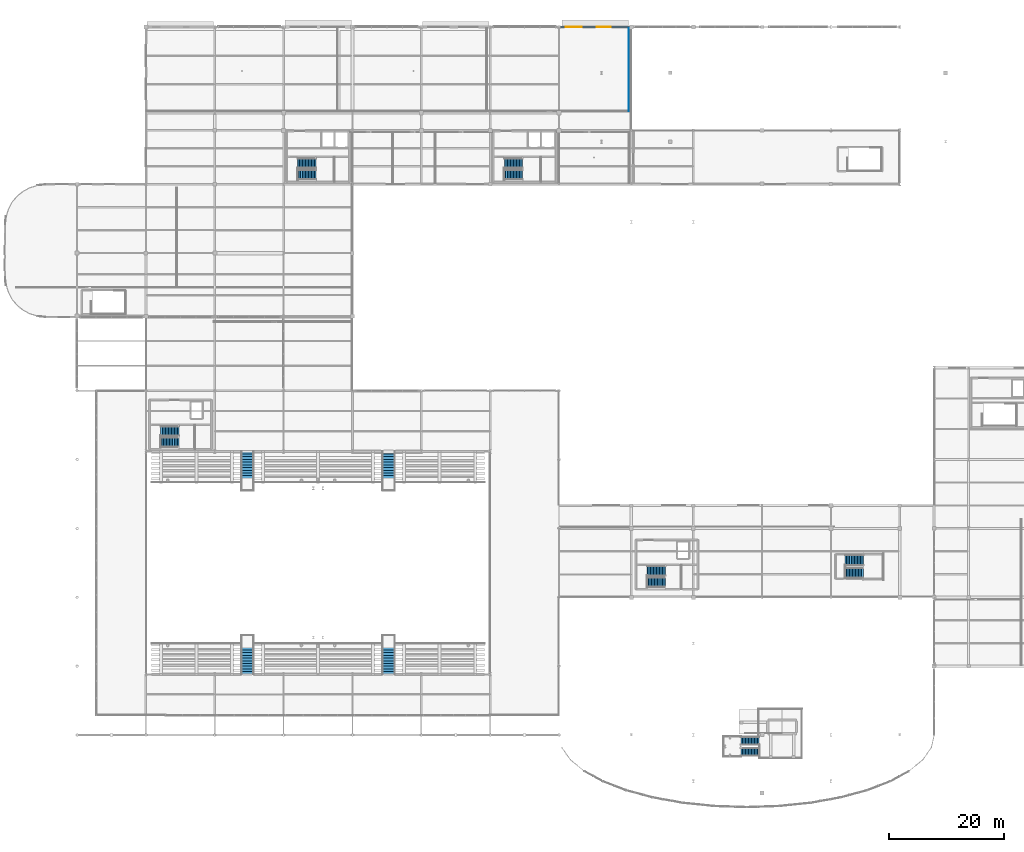
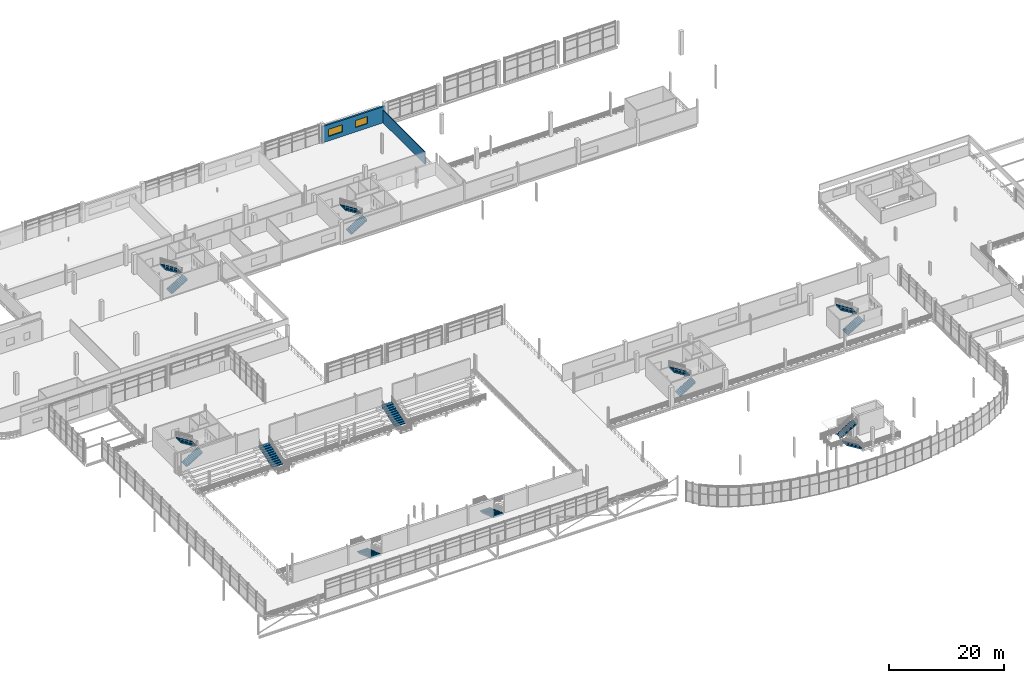
# One storey, part 74 of 89: 16 stair flights, 2 walls, 2 windows, 2 openings, 10 elements without a shape of their own.
"""IFC4 building model written with IfcOpenShell, lengths in metres."""

from ifc_helpers import new_model, si_unit, direction, frame, frame_2d, origin, place, context, subcontext, project, spatial, polyline, rectangle, outline, extrude, material, layer, layer_set, type_object, element, fill, aggregate, save


model = new_model("IFC4")

# Units and contexts
model_context = context("Model", 3, precision=1e-05, world=origin(), true_north=direction((0.0, 1.0)))
body_context = subcontext(model_context, "Body", "Model", "MODEL_VIEW")
ifc_project = project(units=[si_unit("LENGTHUNIT", "METRE"), si_unit("AREAUNIT", "SQUARE_METRE"), si_unit("VOLUMEUNIT", "CUBIC_METRE"), si_unit("PLANEANGLEUNIT", "RADIAN"), si_unit("MASSUNIT", "GRAM", prefix="KILO"), si_unit("THERMODYNAMICTEMPERATUREUNIT", "KELVIN"), si_unit("POWERUNIT", "WATT")], contexts=[model_context])

# Site, building, storey
site_placement = place(None, origin())
site = spatial("IfcSite", under=ifc_project, at=site_placement, CompositionType="ELEMENT")
building_placement = place(site_placement, origin())
building = spatial("IfcBuilding", under=site, at=building_placement, Name="Solmara Park Aquatics Centre", CompositionType="ELEMENT")
storey_placement = place(building_placement, frame((0.0, 0.0, 5.39990234375)))
storey = spatial("IfcBuildingStorey", under=building, at=storey_placement, Name="L01", CompositionType="ELEMENT", Elevation=5.39990234375)

# Wall, openings, windows
ifc_material_1 = material(Name="Insulated Limestone Render Wall", Category="masonry")
ifc_layer_1 = layer(ifc_material_1, 0.35009765625, Name="Insulated Limestone Render Wall")
ifc_layer_set_1 = layer_set([ifc_layer_1], Name="Insulated Limestone Render Wall")
wall_type_1 = type_object("IfcWallType", Name="ARC-WL-EXT350", PredefinedType="SOLIDWALL", material=ifc_layer_set_1)
wall_1_placement = place(storey_placement, frame((96.60009765625, 136.0, 0.0), z_axis=(0.0, 0.0, 1.0), x_axis=(1.0, 0.0, 0.0)))
wall_1 = element("IfcWall", 1, at=wall_1_placement, inside=storey, type_object=wall_type_1, Name="Exterior Facade Wall EW-L01-026", PredefinedType="SOLIDWALL", context=body_context, shape_type="SweptSolid", body=[
    extrude(rectangle(XDim=12.599853515625, YDim=0.35009765625, at=frame_2d((6.2998046875, 0.0))), origin(), (0.0, 0.0, 1.0), 3.43017578125),
])
opening_1_placement = place(wall_1_placement, frame((1.199951171875, 0.0, 0.949951171875)))
opening_1 = element("IfcOpeningElement", 2, at=opening_1_placement, cuts=wall_1, Name="Opening W-15", PredefinedType="OPENING", context=body_context, shape_type="SweptSolid", body=[
    extrude(rectangle(XDim=2.800048828125, YDim=1.5, at=frame_2d((1.39990234375, 0.75))), frame((0.0, 0.18505859375, 0.0), z_axis=(0.0, -1.0, 0.0), x_axis=(1.0, 0.0, 0.0)), (0.0, 0.0, 1.0), 0.3701171875),
])
opening_2_placement = place(wall_1_placement, frame((6.60009765625, 0.0, 0.949951171875)))
opening_2 = element("IfcOpeningElement", 3, at=opening_2_placement, cuts=wall_1, Name="Opening W-16", PredefinedType="OPENING", context=body_context, shape_type="SweptSolid", body=[
    extrude(rectangle(XDim=2.39990234375, YDim=1.5, at=frame_2d((1.199951171875, 0.75))), frame((0.0, 0.18505859375, 0.0), z_axis=(0.0, -1.0, 0.0), x_axis=(1.0, 0.0, 0.0)), (0.0, 0.0, 1.0), 0.3701171875),
])
ifc_material_2 = material(Name="Thermally Broken Aluminium and Low-E Double Glazing", Category="aluminium")
window_type_1 = type_object("IfcWindowType", Name="ARC-WN-240x150", PartitioningType="DOUBLE_PANEL_VERTICAL", PredefinedType="WINDOW", material=ifc_material_2)
window_1_placement = place(opening_2_placement, origin())
window_1 = element("IfcWindow", 4, at=window_1_placement, inside=storey, type_object=window_type_1, Name="Ribbon Window WN-063", OverallHeight=1.5, OverallWidth=2.39990234375, PartitioningType="DOUBLE_PANEL_VERTICAL", PredefinedType="WINDOW", context=body_context, shape_type="SweptSolid", body=[
    extrude(rectangle(XDim=2.39990234375, YDim=1.5, at=frame_2d((1.199951171875, 0.75))), frame((0.0, 0.030029296875, 0.0), z_axis=(0.0, -1.0, 0.0), x_axis=(1.0, 0.0, 0.0)), (0.0, 0.0, 1.0), 0.06005859375),
])
fill(opening_2, window_1)
window_type_2 = type_object("IfcWindowType", Name="ARC-WN-280x150", PartitioningType="DOUBLE_PANEL_HORIZONTAL", PredefinedType="WINDOW", material=ifc_material_2)
window_2_placement = place(opening_1_placement, origin())
window_2 = element("IfcWindow", 5, at=window_2_placement, inside=storey, type_object=window_type_2, Name="Ribbon Window WN-062", OverallHeight=1.5, OverallWidth=2.800048828125, PartitioningType="DOUBLE_PANEL_HORIZONTAL", PredefinedType="WINDOW", context=body_context, shape_type="SweptSolid", body=[
    extrude(rectangle(XDim=2.800048828125, YDim=1.5, at=frame_2d((1.39990234375, 0.75))), frame((0.0, 0.030029296875, 0.0), z_axis=(0.0, -1.0, 0.0), x_axis=(1.0, 0.0, 0.0)), (0.0, 0.0, 1.0), 0.06005859375),
])
fill(opening_1, window_2)

# Wall
ifc_material_3 = material(Name="Cement-Rendered Masonry Partition", Category="masonry")
ifc_layer_2 = layer(ifc_material_3, 0.14990234375, Name="Cement-Rendered Masonry Partition")
ifc_layer_set_2 = layer_set([ifc_layer_2], Name="Cement-Rendered Masonry Partition")
wall_type_2 = type_object("IfcWallType", Name="ARC-WL-MAS150", PredefinedType="PARTITIONING", material=ifc_layer_set_2)
wall_2_placement = place(storey_placement, frame((108.800048828125, 121.300048828125, 0.0), z_axis=(0.0, 0.0, 1.0), x_axis=(0.0, 1.0, 0.0)))
element("IfcWall", 6, at=wall_2_placement, inside=storey, type_object=wall_type_2, Name="Interior Partition IW-L01-0100 (L01-GYM-03)", PredefinedType="PARTITIONING", context=body_context, shape_type="SweptSolid", body=[
    extrude(rectangle(XDim=14.52490234375, YDim=0.14990234375, at=frame_2d((7.262451171875, 0.0))), origin(), (0.0, 0.0, 1.0), 2.7001953125),
])

# Stair, stair flights
ifc_material_4 = material(Name="Concrete C40/50", Category="concrete")
stair_type_1 = type_object("IfcStairType", Name="ARC-ST-DIV", PredefinedType="HALF_TURN_STAIR", material=ifc_material_4)
stair_1_placement = place(storey_placement, origin())
stair_1 = element("IfcStair", 7, at=stair_1_placement, inside=storey, type_object=stair_type_1, Name="Diving Tower Platform Stair DT-02", PredefinedType="HALF_TURN_STAIR")
ifc_layer_3 = layer(ifc_material_4, 0.179931640625, Name="Concrete C40/50")
ifc_layer_set_3 = layer_set([ifc_layer_3], Name="Concrete C40/50")
stair_flight_type_1 = type_object("IfcStairFlightType", Name="ARC-STF-04", PredefinedType="STRAIGHT", material=ifc_layer_set_3)
stair_flight_1_placement = place(storey_placement, frame((131.5, 9.6201171875, 0.0), z_axis=(0.0, 0.0, 1.0), x_axis=(-1.0, 0.0, 0.0)))
stair_flight_1 = element("IfcStairFlight", 8, at=stair_flight_1_placement, type_object=stair_flight_type_1, Name="DT-02 flight 1", NumberOfRisers=13, NumberOfTreads=12, PredefinedType="STRAIGHT", RiserHeight=0.16154, TreadLength=0.265, context=body_context, shape_type="SweptSolid", body=[
    extrude(outline(polyline([(0.0, 0.0), (0.0, 0.16162109375), (0.264892578125, 0.16162109375), (0.264892578125, 0.322998046875), (0.530029296875, 0.322998046875), (0.530029296875, 0.484619140625), (0.794921875, 0.484619140625), (0.794921875, 0.646240234375), (1.06005859375, 0.646240234375), (1.06005859375, 0.8076171875), (1.324951171875, 0.8076171875), (1.324951171875, 0.96923828125), (1.590087890625, 0.96923828125), (1.590087890625, 1.130859375), (1.85498046875, 1.130859375), (1.85498046875, 1.292236328125), (2.1201171875, 1.292236328125), (2.1201171875, 1.453857421875), (2.385009765625, 1.453857421875), (2.385009765625, 1.615478515625), (2.64990234375, 1.615478515625), (2.64990234375, 1.77685546875), (2.9150390625, 1.77685546875), (2.9150390625, 1.9384765625), (3.179931640625, 1.9384765625), (3.179931640625, 2.10009765625), (3.199951171875, 2.10009765625), (3.199951171875, 1.727783203125), (0.36572265625, 0.0), (0.0, 0.0)])), frame((0.0, 0.699951171875, 0.0), z_axis=(0.0, -1.0, 0.0), x_axis=(1.0, 0.0, 0.0)), (0.0, 0.0, 1.0), 1.39990234375),
])
stair_flight_2_placement = place(storey_placement, frame((128.2900390625, 11.580078125, 2.10009765625), z_axis=(0.0, 0.0, 1.0), x_axis=(1.0, 0.0, 0.0)))
stair_flight_2 = element("IfcStairFlight", 9, at=stair_flight_2_placement, type_object=stair_flight_type_1, Name="DT-02 flight 2", NumberOfRisers=13, NumberOfTreads=12, PredefinedType="STRAIGHT", RiserHeight=0.16154, TreadLength=0.265, context=body_context, shape_type="SweptSolid", body=[
    extrude(outline(polyline([(0.0, 0.0), (0.0, 0.16162109375), (0.264892578125, 0.16162109375), (0.264892578125, 0.322998046875), (0.530029296875, 0.322998046875), (0.530029296875, 0.484619140625), (0.794921875, 0.484619140625), (0.794921875, 0.646240234375), (1.06005859375, 0.646240234375), (1.06005859375, 0.8076171875), (1.324951171875, 0.8076171875), (1.324951171875, 0.96923828125), (1.590087890625, 0.96923828125), (1.590087890625, 1.130859375), (1.85498046875, 1.130859375), (1.85498046875, 1.292236328125), (2.1201171875, 1.292236328125), (2.1201171875, 1.453857421875), (2.385009765625, 1.453857421875), (2.385009765625, 1.615478515625), (2.64990234375, 1.615478515625), (2.64990234375, 1.77685546875), (2.9150390625, 1.77685546875), (2.9150390625, 1.9384765625), (3.179931640625, 1.9384765625), (3.179931640625, 2.10009765625), (3.199951171875, 2.10009765625), (3.199951171875, 1.727783203125), (0.36572265625, 0.0), (0.0, 0.0)])), frame((0.0, 0.699951171875, 0.0), z_axis=(0.0, -1.0, 0.0), x_axis=(1.0, 0.0, 0.0)), (0.0, 0.0, 1.0), 1.39990234375),
])
aggregate(stair_1, [stair_flight_1, stair_flight_2])

stair_type_2 = type_object("IfcStairType", Name="ARC-ST-CORE", PredefinedType="HALF_TURN_STAIR", material=ifc_material_4)
stair_2_placement = place(storey_placement, origin())
stair_2 = element("IfcStair", 10, at=stair_2_placement, inside=storey, type_object=stair_type_2, Name="ST-01 Protected Exit Stair (L01 to L02)", PredefinedType="HALF_TURN_STAIR")
ifc_layer_4 = layer(ifc_material_4, 0.199951171875, Name="Concrete C40/50")
ifc_layer_set_4 = layer_set([ifc_layer_4], Name="Concrete C40/50")
stair_flight_type_2 = type_object("IfcStairFlightType", Name="ARC-STF-06", PredefinedType="STRAIGHT", material=ifc_layer_set_4)
stair_flight_3_placement = place(storey_placement, frame((51.050048828125, 110.235107421875, 0.0), z_axis=(0.0, 0.0, 1.0), x_axis=(1.0, 0.0, 0.0)))
stair_flight_3 = element("IfcStairFlight", 11, at=stair_flight_3_placement, type_object=stair_flight_type_2, Name="ST-01 flight 1", NumberOfRisers=13, NumberOfTreads=12, PredefinedType="STRAIGHT", RiserHeight=0.16154, TreadLength=0.265, context=body_context, shape_type="SweptSolid", body=[
    extrude(outline(polyline([(0.0, 0.0), (0.0, 0.16162109375), (0.264892578125, 0.16162109375), (0.264892578125, 0.322998046875), (0.530029296875, 0.322998046875), (0.530029296875, 0.484619140625), (0.794921875, 0.484619140625), (0.794921875, 0.646240234375), (1.06005859375, 0.646240234375), (1.06005859375, 0.8076171875), (1.324951171875, 0.8076171875), (1.324951171875, 0.96923828125), (1.590087890625, 0.96923828125), (1.590087890625, 1.130859375), (1.85498046875, 1.130859375), (1.85498046875, 1.292236328125), (2.1201171875, 1.292236328125), (2.1201171875, 1.453857421875), (2.385009765625, 1.453857421875), (2.385009765625, 1.615478515625), (2.64990234375, 1.615478515625), (2.64990234375, 1.77685546875), (2.9150390625, 1.77685546875), (2.9150390625, 1.9384765625), (3.179931640625, 1.9384765625), (3.179931640625, 2.10009765625), (3.199951171875, 2.10009765625), (3.199951171875, 1.727783203125), (0.36572265625, 0.0), (0.0, 0.0)])), frame((0.0, 0.864990234375, 0.0), z_axis=(0.0, -1.0, 0.0), x_axis=(1.0, 0.0, 0.0)), (0.0, 0.0, 1.0), 1.72998046875),
])
stair_flight_4_placement = place(storey_placement, frame((54.260009765625, 112.264892578125, 2.10009765625), z_axis=(0.0, 0.0, 1.0), x_axis=(-1.0, 0.0, 0.0)))
stair_flight_4 = element("IfcStairFlight", 12, at=stair_flight_4_placement, type_object=stair_flight_type_2, Name="ST-01 flight 2", NumberOfRisers=13, NumberOfTreads=12, PredefinedType="STRAIGHT", RiserHeight=0.16154, TreadLength=0.265, context=body_context, shape_type="SweptSolid", body=[
    extrude(outline(polyline([(0.0, 0.0), (0.0, 0.16162109375), (0.264892578125, 0.16162109375), (0.264892578125, 0.322998046875), (0.530029296875, 0.322998046875), (0.530029296875, 0.484619140625), (0.794921875, 0.484619140625), (0.794921875, 0.646240234375), (1.06005859375, 0.646240234375), (1.06005859375, 0.8076171875), (1.324951171875, 0.8076171875), (1.324951171875, 0.96923828125), (1.590087890625, 0.96923828125), (1.590087890625, 1.130859375), (1.85498046875, 1.130859375), (1.85498046875, 1.292236328125), (2.1201171875, 1.292236328125), (2.1201171875, 1.453857421875), (2.385009765625, 1.453857421875), (2.385009765625, 1.615478515625), (2.64990234375, 1.615478515625), (2.64990234375, 1.77685546875), (2.9150390625, 1.77685546875), (2.9150390625, 1.9384765625), (3.179931640625, 1.9384765625), (3.179931640625, 2.10009765625), (3.199951171875, 2.10009765625), (3.199951171875, 1.727783203125), (0.36572265625, 0.0), (0.0, 0.0)])), frame((0.0, 0.864990234375, 0.0), z_axis=(0.0, -1.0, 0.0), x_axis=(1.0, 0.0, 0.0)), (0.0, 0.0, 1.0), 1.72998046875),
])
aggregate(stair_2, [stair_flight_3, stair_flight_4])

stair_3_placement = place(storey_placement, origin())
stair_3 = element("IfcStair", 13, at=stair_3_placement, inside=storey, type_object=stair_type_2, Name="ST-02 Protected Exit Stair (L01 to L02)", PredefinedType="HALF_TURN_STAIR")
stair_flight_5_placement = place(storey_placement, frame((87.050048828125, 110.235107421875, 0.0), z_axis=(0.0, 0.0, 1.0), x_axis=(1.0, 0.0, 0.0)))
stair_flight_5 = element("IfcStairFlight", 14, at=stair_flight_5_placement, type_object=stair_flight_type_2, Name="ST-02 flight 1", NumberOfRisers=13, NumberOfTreads=12, PredefinedType="STRAIGHT", RiserHeight=0.16154, TreadLength=0.265, context=body_context, shape_type="SweptSolid", body=[
    extrude(outline(polyline([(0.0, 0.0), (0.0, 0.16162109375), (0.264892578125, 0.16162109375), (0.264892578125, 0.322998046875), (0.530029296875, 0.322998046875), (0.530029296875, 0.484619140625), (0.794921875, 0.484619140625), (0.794921875, 0.646240234375), (1.06005859375, 0.646240234375), (1.06005859375, 0.8076171875), (1.324951171875, 0.8076171875), (1.324951171875, 0.96923828125), (1.590087890625, 0.96923828125), (1.590087890625, 1.130859375), (1.85498046875, 1.130859375), (1.85498046875, 1.292236328125), (2.1201171875, 1.292236328125), (2.1201171875, 1.453857421875), (2.385009765625, 1.453857421875), (2.385009765625, 1.615478515625), (2.64990234375, 1.615478515625), (2.64990234375, 1.77685546875), (2.9150390625, 1.77685546875), (2.9150390625, 1.9384765625), (3.179931640625, 1.9384765625), (3.179931640625, 2.10009765625), (3.199951171875, 2.10009765625), (3.199951171875, 1.727783203125), (0.36572265625, 0.0), (0.0, 0.0)])), frame((0.0, 0.864990234375, 0.0), z_axis=(0.0, -1.0, 0.0), x_axis=(1.0, 0.0, 0.0)), (0.0, 0.0, 1.0), 1.72998046875),
])
stair_flight_6_placement = place(storey_placement, frame((90.260009765625, 112.264892578125, 2.10009765625), z_axis=(0.0, 0.0, 1.0), x_axis=(-1.0, 0.0, 0.0)))
stair_flight_6 = element("IfcStairFlight", 15, at=stair_flight_6_placement, type_object=stair_flight_type_2, Name="ST-02 flight 2", NumberOfRisers=13, NumberOfTreads=12, PredefinedType="STRAIGHT", RiserHeight=0.16154, TreadLength=0.265, context=body_context, shape_type="SweptSolid", body=[
    extrude(outline(polyline([(0.0, 0.0), (0.0, 0.16162109375), (0.264892578125, 0.16162109375), (0.264892578125, 0.322998046875), (0.530029296875, 0.322998046875), (0.530029296875, 0.484619140625), (0.794921875, 0.484619140625), (0.794921875, 0.646240234375), (1.06005859375, 0.646240234375), (1.06005859375, 0.8076171875), (1.324951171875, 0.8076171875), (1.324951171875, 0.96923828125), (1.590087890625, 0.96923828125), (1.590087890625, 1.130859375), (1.85498046875, 1.130859375), (1.85498046875, 1.292236328125), (2.1201171875, 1.292236328125), (2.1201171875, 1.453857421875), (2.385009765625, 1.453857421875), (2.385009765625, 1.615478515625), (2.64990234375, 1.615478515625), (2.64990234375, 1.77685546875), (2.9150390625, 1.77685546875), (2.9150390625, 1.9384765625), (3.179931640625, 1.9384765625), (3.179931640625, 2.10009765625), (3.199951171875, 2.10009765625), (3.199951171875, 1.727783203125), (0.36572265625, 0.0), (0.0, 0.0)])), frame((0.0, 0.864990234375, 0.0), z_axis=(0.0, -1.0, 0.0), x_axis=(1.0, 0.0, 0.0)), (0.0, 0.0, 1.0), 1.72998046875),
])
aggregate(stair_3, [stair_flight_5, stair_flight_6])

stair_4_placement = place(storey_placement, origin())
stair_4 = element("IfcStair", 16, at=stair_4_placement, inside=storey, type_object=stair_type_2, Name="ST-03 Protected Exit Stair (L01 to L02)", PredefinedType="HALF_TURN_STAIR")
stair_flight_7_placement = place(storey_placement, frame((111.949951171875, 39.2099609375, 0.0), z_axis=(0.0, 0.0, 1.0), x_axis=(1.0, 0.0, 0.0)))
stair_flight_7 = element("IfcStairFlight", 17, at=stair_flight_7_placement, type_object=stair_flight_type_2, Name="ST-03 flight 1", NumberOfRisers=13, NumberOfTreads=12, PredefinedType="STRAIGHT", RiserHeight=0.16154, TreadLength=0.265, context=body_context, shape_type="SweptSolid", body=[
    extrude(outline(polyline([(0.0, 0.0), (0.0, 0.16162109375), (0.264892578125, 0.16162109375), (0.264892578125, 0.322998046875), (0.530029296875, 0.322998046875), (0.530029296875, 0.484619140625), (0.794921875, 0.484619140625), (0.794921875, 0.646240234375), (1.06005859375, 0.646240234375), (1.06005859375, 0.8076171875), (1.324951171875, 0.8076171875), (1.324951171875, 0.96923828125), (1.590087890625, 0.96923828125), (1.590087890625, 1.130859375), (1.85498046875, 1.130859375), (1.85498046875, 1.292236328125), (2.1201171875, 1.292236328125), (2.1201171875, 1.453857421875), (2.385009765625, 1.453857421875), (2.385009765625, 1.615478515625), (2.64990234375, 1.615478515625), (2.64990234375, 1.77685546875), (2.9150390625, 1.77685546875), (2.9150390625, 1.9384765625), (3.179931640625, 1.9384765625), (3.179931640625, 2.10009765625), (3.199951171875, 2.10009765625), (3.199951171875, 1.727783203125), (0.36572265625, 0.0), (0.0, 0.0)])), frame((0.0, 0.83984375, 0.0), z_axis=(0.0, -1.0, 0.0), x_axis=(1.0, 0.0, 0.0)), (0.0, 0.0, 1.0), 1.679931640625),
])
stair_flight_8_placement = place(storey_placement, frame((115.159912109375, 41.18994140625, 2.10009765625), z_axis=(0.0, 0.0, 1.0), x_axis=(-1.0, 0.0, 0.0)))
stair_flight_8 = element("IfcStairFlight", 18, at=stair_flight_8_placement, type_object=stair_flight_type_2, Name="ST-03 flight 2", NumberOfRisers=13, NumberOfTreads=12, PredefinedType="STRAIGHT", RiserHeight=0.16154, TreadLength=0.265, context=body_context, shape_type="SweptSolid", body=[
    extrude(outline(polyline([(0.0, 0.0), (0.0, 0.16162109375), (0.264892578125, 0.16162109375), (0.264892578125, 0.322998046875), (0.530029296875, 0.322998046875), (0.530029296875, 0.484619140625), (0.794921875, 0.484619140625), (0.794921875, 0.646240234375), (1.06005859375, 0.646240234375), (1.06005859375, 0.8076171875), (1.324951171875, 0.8076171875), (1.324951171875, 0.96923828125), (1.590087890625, 0.96923828125), (1.590087890625, 1.130859375), (1.85498046875, 1.130859375), (1.85498046875, 1.292236328125), (2.1201171875, 1.292236328125), (2.1201171875, 1.453857421875), (2.385009765625, 1.453857421875), (2.385009765625, 1.615478515625), (2.64990234375, 1.615478515625), (2.64990234375, 1.77685546875), (2.9150390625, 1.77685546875), (2.9150390625, 1.9384765625), (3.179931640625, 1.9384765625), (3.179931640625, 2.10009765625), (3.199951171875, 2.10009765625), (3.199951171875, 1.727783203125), (0.36572265625, 0.0), (0.0, 0.0)])), frame((0.0, 0.83984375, 0.0), z_axis=(0.0, -1.0, 0.0), x_axis=(1.0, 0.0, 0.0)), (0.0, 0.0, 1.0), 1.679931640625),
])
aggregate(stair_4, [stair_flight_7, stair_flight_8])

stair_5_placement = place(storey_placement, origin())
stair_5 = element("IfcStair", 19, at=stair_5_placement, inside=storey, type_object=stair_type_2, Name="ST-04 Protected Exit Stair (L01 to L02)", PredefinedType="HALF_TURN_STAIR")
stair_flight_9_placement = place(storey_placement, frame((27.14990234375, 63.610107421875, 0.0), z_axis=(0.0, 0.0, 1.0), x_axis=(1.0, 0.0, 0.0)))
stair_flight_9 = element("IfcStairFlight", 20, at=stair_flight_9_placement, type_object=stair_flight_type_2, Name="ST-04 flight 1", NumberOfRisers=13, NumberOfTreads=12, PredefinedType="STRAIGHT", RiserHeight=0.16154, TreadLength=0.265, context=body_context, shape_type="SweptSolid", body=[
    extrude(outline(polyline([(0.0, 0.0), (0.0, 0.16162109375), (0.264892578125, 0.16162109375), (0.264892578125, 0.322998046875), (0.530029296875, 0.322998046875), (0.530029296875, 0.484619140625), (0.794921875, 0.484619140625), (0.794921875, 0.646240234375), (1.06005859375, 0.646240234375), (1.06005859375, 0.8076171875), (1.324951171875, 0.8076171875), (1.324951171875, 0.96923828125), (1.590087890625, 0.96923828125), (1.590087890625, 1.130859375), (1.85498046875, 1.130859375), (1.85498046875, 1.292236328125), (2.1201171875, 1.292236328125), (2.1201171875, 1.453857421875), (2.385009765625, 1.453857421875), (2.385009765625, 1.615478515625), (2.64990234375, 1.615478515625), (2.64990234375, 1.77685546875), (2.9150390625, 1.77685546875), (2.9150390625, 1.9384765625), (3.179931640625, 1.9384765625), (3.179931640625, 2.10009765625), (3.199951171875, 2.10009765625), (3.199951171875, 1.727783203125), (0.36572265625, 0.0), (0.0, 0.0)])), frame((0.0, 0.83984375, 0.0), z_axis=(0.0, -1.0, 0.0), x_axis=(1.0, 0.0, 0.0)), (0.0, 0.0, 1.0), 1.679931640625),
])
stair_flight_10_placement = place(storey_placement, frame((30.360107421875, 65.590087890625, 2.10009765625), z_axis=(0.0, 0.0, 1.0), x_axis=(-1.0, 0.0, 0.0)))
stair_flight_10 = element("IfcStairFlight", 21, at=stair_flight_10_placement, type_object=stair_flight_type_2, Name="ST-04 flight 2", NumberOfRisers=13, NumberOfTreads=12, PredefinedType="STRAIGHT", RiserHeight=0.16154, TreadLength=0.265, context=body_context, shape_type="SweptSolid", body=[
    extrude(outline(polyline([(0.0, 0.0), (0.0, 0.16162109375), (0.264892578125, 0.16162109375), (0.264892578125, 0.322998046875), (0.530029296875, 0.322998046875), (0.530029296875, 0.484619140625), (0.794921875, 0.484619140625), (0.794921875, 0.646240234375), (1.06005859375, 0.646240234375), (1.06005859375, 0.8076171875), (1.324951171875, 0.8076171875), (1.324951171875, 0.96923828125), (1.590087890625, 0.96923828125), (1.590087890625, 1.130859375), (1.85498046875, 1.130859375), (1.85498046875, 1.292236328125), (2.1201171875, 1.292236328125), (2.1201171875, 1.453857421875), (2.385009765625, 1.453857421875), (2.385009765625, 1.615478515625), (2.64990234375, 1.615478515625), (2.64990234375, 1.77685546875), (2.9150390625, 1.77685546875), (2.9150390625, 1.9384765625), (3.179931640625, 1.9384765625), (3.179931640625, 2.10009765625), (3.199951171875, 2.10009765625), (3.199951171875, 1.727783203125), (0.36572265625, 0.0), (0.0, 0.0)])), frame((0.0, 0.83984375, 0.0), z_axis=(0.0, -1.0, 0.0), x_axis=(1.0, 0.0, 0.0)), (0.0, 0.0, 1.0), 1.679931640625),
])
aggregate(stair_5, [stair_flight_9, stair_flight_10])

stair_type_3 = type_object("IfcStairType", Name="ARC-ST-ESC", PredefinedType="HALF_TURN_STAIR", material=ifc_material_4)
stair_6_placement = place(storey_placement, origin())
stair_6 = element("IfcStair", 22, at=stair_6_placement, inside=storey, type_object=stair_type_3, Name="Diving Pavilion Escape Stair ST-09 (L01-L02)", PredefinedType="HALF_TURN_STAIR")
ifc_layer_5 = layer(ifc_material_4, 0.199951171875, Name="Concrete C40/50")
ifc_layer_set_5 = layer_set([ifc_layer_5], Name="Concrete C40/50")
stair_flight_type_3 = type_object("IfcStairFlightType", Name="ARC-STF-08", PredefinedType="STRAIGHT", material=ifc_layer_set_5)
stair_flight_11_placement = place(storey_placement, frame((146.449951171875, 40.820068359375, 0.0), z_axis=(0.0, 0.0, 1.0), x_axis=(1.0, 0.0, 0.0)))
stair_flight_11 = element("IfcStairFlight", 23, at=stair_flight_11_placement, type_object=stair_flight_type_3, Name="ST-09 flight 1", NumberOfRisers=13, NumberOfTreads=12, PredefinedType="STRAIGHT", RiserHeight=0.16154, TreadLength=0.265, context=body_context, shape_type="SweptSolid", body=[
    extrude(outline(polyline([(0.0, 0.0), (0.0, 0.16162109375), (0.264892578125, 0.16162109375), (0.264892578125, 0.322998046875), (0.530029296875, 0.322998046875), (0.530029296875, 0.484619140625), (0.794921875, 0.484619140625), (0.794921875, 0.646240234375), (1.06005859375, 0.646240234375), (1.06005859375, 0.8076171875), (1.324951171875, 0.8076171875), (1.324951171875, 0.96923828125), (1.590087890625, 0.96923828125), (1.590087890625, 1.130859375), (1.85498046875, 1.130859375), (1.85498046875, 1.292236328125), (2.1201171875, 1.292236328125), (2.1201171875, 1.453857421875), (2.385009765625, 1.453857421875), (2.385009765625, 1.615478515625), (2.64990234375, 1.615478515625), (2.64990234375, 1.77685546875), (2.9150390625, 1.77685546875), (2.9150390625, 1.9384765625), (3.179931640625, 1.9384765625), (3.179931640625, 2.10009765625), (3.199951171875, 2.10009765625), (3.199951171875, 1.727783203125), (0.36572265625, 0.0), (0.0, 0.0)])), frame((0.0, 0.89990234375, 0.0), z_axis=(0.0, -1.0, 0.0), x_axis=(1.0, 0.0, 0.0)), (0.0, 0.0, 1.0), 1.800048828125),
])
stair_flight_12_placement = place(storey_placement, frame((149.659912109375, 43.080078125, 2.10009765625), z_axis=(0.0, 0.0, 1.0), x_axis=(-1.0, 0.0, 0.0)))
stair_flight_12 = element("IfcStairFlight", 24, at=stair_flight_12_placement, type_object=stair_flight_type_3, Name="ST-09 flight 2", NumberOfRisers=13, NumberOfTreads=12, PredefinedType="STRAIGHT", RiserHeight=0.16154, TreadLength=0.265, context=body_context, shape_type="SweptSolid", body=[
    extrude(outline(polyline([(0.0, 0.0), (0.0, 0.16162109375), (0.264892578125, 0.16162109375), (0.264892578125, 0.322998046875), (0.530029296875, 0.322998046875), (0.530029296875, 0.484619140625), (0.794921875, 0.484619140625), (0.794921875, 0.646240234375), (1.06005859375, 0.646240234375), (1.06005859375, 0.8076171875), (1.324951171875, 0.8076171875), (1.324951171875, 0.96923828125), (1.590087890625, 0.96923828125), (1.590087890625, 1.130859375), (1.85498046875, 1.130859375), (1.85498046875, 1.292236328125), (2.1201171875, 1.292236328125), (2.1201171875, 1.453857421875), (2.385009765625, 1.453857421875), (2.385009765625, 1.615478515625), (2.64990234375, 1.615478515625), (2.64990234375, 1.77685546875), (2.9150390625, 1.77685546875), (2.9150390625, 1.9384765625), (3.179931640625, 1.9384765625), (3.179931640625, 2.10009765625), (3.199951171875, 2.10009765625), (3.199951171875, 1.727783203125), (0.36572265625, 0.0), (0.0, 0.0)])), frame((0.0, 0.89990234375, 0.0), z_axis=(0.0, -1.0, 0.0), x_axis=(1.0, 0.0, 0.0)), (0.0, 0.0, 1.0), 1.800048828125),
])
aggregate(stair_6, [stair_flight_11, stair_flight_12])

# Stair, stair flight
stair_type_4 = type_object("IfcStairType", Name="ARC-ST-VOM1", PredefinedType="STRAIGHT_RUN_STAIR", material=ifc_material_4)
stair_7_placement = place(storey_placement, origin())
stair_7 = element("IfcStair", 25, at=stair_7_placement, inside=storey, type_object=stair_type_4, Name="Vomitory Stair VS-01", PredefinedType="STRAIGHT_RUN_STAIR")
ifc_layer_6 = layer(ifc_material_4, 0.239990234375, Name="Concrete C40/50")
ifc_layer_set_6 = layer_set([ifc_layer_6], Name="Concrete C40/50")
stair_flight_type_4 = type_object("IfcStairFlightType", Name="ARC-STF-11", PredefinedType="STRAIGHT", material=ifc_layer_set_6)
stair_flight_13_placement = place(storey_placement, frame((42.300048828125, 57.31005859375, -1.7998046875), z_axis=(0.0, 0.0, 1.0), x_axis=(0.0, 1.0, 0.0)))
stair_flight_13 = element("IfcStairFlight", 26, at=stair_flight_13_placement, type_object=stair_flight_type_4, Name="VS-01 flight 1", NumberOfRisers=11, NumberOfTreads=10, PredefinedType="STRAIGHT", RiserHeight=0.16364, TreadLength=0.473, context=body_context, shape_type="SweptSolid", body=[
    extrude(outline(polyline([(0.0, 0.0), (0.0, 0.16357421875), (0.472900390625, 0.16357421875), (0.472900390625, 0.327392578125), (0.946044921875, 0.327392578125), (0.946044921875, 0.490966796875), (1.4189453125, 0.490966796875), (1.4189453125, 0.654541015625), (1.89208984375, 0.654541015625), (1.89208984375, 0.818115234375), (2.364990234375, 0.818115234375), (2.364990234375, 0.98193359375), (2.837890625, 0.98193359375), (2.837890625, 1.1455078125), (3.31103515625, 1.1455078125), (3.31103515625, 1.30908203125), (3.783935546875, 1.30908203125), (3.783935546875, 1.47265625), (4.257080078125, 1.47265625), (4.257080078125, 1.636474609375), (4.72998046875, 1.636474609375), (4.72998046875, 1.800048828125), (4.75, 1.800048828125), (4.75, 1.403564453125), (0.69287109375, 0.0), (0.0, 0.0)])), frame((0.0, 1.050048828125, 0.0), z_axis=(0.0, -1.0, 0.0), x_axis=(1.0, 0.0, 0.0)), (0.0, 0.0, 1.0), 2.10009765625),
])
aggregate(stair_7, [stair_flight_13])

stair_8_placement = place(storey_placement, origin())
stair_8 = element("IfcStair", 27, at=stair_8_placement, inside=storey, type_object=stair_type_4, Name="Vomitory Stair VS-02", PredefinedType="STRAIGHT_RUN_STAIR")
stair_flight_14_placement = place(storey_placement, frame((66.89990234375, 57.31005859375, -1.7998046875), z_axis=(0.0, 0.0, 1.0), x_axis=(0.0, 1.0, 0.0)))
stair_flight_14 = element("IfcStairFlight", 28, at=stair_flight_14_placement, type_object=stair_flight_type_4, Name="VS-02 flight 1", NumberOfRisers=11, NumberOfTreads=10, PredefinedType="STRAIGHT", RiserHeight=0.16364, TreadLength=0.473, context=body_context, shape_type="SweptSolid", body=[
    extrude(outline(polyline([(0.0, 0.0), (0.0, 0.16357421875), (0.472900390625, 0.16357421875), (0.472900390625, 0.327392578125), (0.946044921875, 0.327392578125), (0.946044921875, 0.490966796875), (1.4189453125, 0.490966796875), (1.4189453125, 0.654541015625), (1.89208984375, 0.654541015625), (1.89208984375, 0.818115234375), (2.364990234375, 0.818115234375), (2.364990234375, 0.98193359375), (2.837890625, 0.98193359375), (2.837890625, 1.1455078125), (3.31103515625, 1.1455078125), (3.31103515625, 1.30908203125), (3.783935546875, 1.30908203125), (3.783935546875, 1.47265625), (4.257080078125, 1.47265625), (4.257080078125, 1.636474609375), (4.72998046875, 1.636474609375), (4.72998046875, 1.800048828125), (4.75, 1.800048828125), (4.75, 1.403564453125), (0.69287109375, 0.0), (0.0, 0.0)])), frame((0.0, 1.050048828125, 0.0), z_axis=(0.0, -1.0, 0.0), x_axis=(1.0, 0.0, 0.0)), (0.0, 0.0, 1.0), 2.10009765625),
])
aggregate(stair_8, [stair_flight_14])

stair_9_placement = place(storey_placement, origin())
stair_9 = element("IfcStair", 29, at=stair_9_placement, inside=storey, type_object=stair_type_4, Name="Vomitory Stair VS-03", PredefinedType="STRAIGHT_RUN_STAIR")
stair_flight_15_placement = place(storey_placement, frame((42.300048828125, 27.889892578125, -1.7998046875), z_axis=(0.0, 0.0, 1.0), x_axis=(0.0, -1.0, 0.0)))
stair_flight_15 = element("IfcStairFlight", 30, at=stair_flight_15_placement, type_object=stair_flight_type_4, Name="VS-03 flight 1", NumberOfRisers=11, NumberOfTreads=10, PredefinedType="STRAIGHT", RiserHeight=0.16364, TreadLength=0.473, context=body_context, shape_type="SweptSolid", body=[
    extrude(outline(polyline([(0.0, 0.0), (0.0, 0.16357421875), (0.472900390625, 0.16357421875), (0.472900390625, 0.327392578125), (0.946044921875, 0.327392578125), (0.946044921875, 0.490966796875), (1.4189453125, 0.490966796875), (1.4189453125, 0.654541015625), (1.89208984375, 0.654541015625), (1.89208984375, 0.818115234375), (2.364990234375, 0.818115234375), (2.364990234375, 0.98193359375), (2.837890625, 0.98193359375), (2.837890625, 1.1455078125), (3.31103515625, 1.1455078125), (3.31103515625, 1.30908203125), (3.783935546875, 1.30908203125), (3.783935546875, 1.47265625), (4.257080078125, 1.47265625), (4.257080078125, 1.636474609375), (4.72998046875, 1.636474609375), (4.72998046875, 1.800048828125), (4.75, 1.800048828125), (4.75, 1.403564453125), (0.69287109375, 0.0), (0.0, 0.0)])), frame((0.0, 1.050048828125, 0.0), z_axis=(0.0, -1.0, 0.0), x_axis=(1.0, 0.0, 0.0)), (0.0, 0.0, 1.0), 2.10009765625),
])
aggregate(stair_9, [stair_flight_15])

stair_10_placement = place(storey_placement, origin())
stair_10 = element("IfcStair", 31, at=stair_10_placement, inside=storey, type_object=stair_type_4, Name="Vomitory Stair VS-04", PredefinedType="STRAIGHT_RUN_STAIR")
stair_flight_16_placement = place(storey_placement, frame((66.89990234375, 27.889892578125, -1.7998046875), z_axis=(0.0, 0.0, 1.0), x_axis=(0.0, -1.0, 0.0)))
stair_flight_16 = element("IfcStairFlight", 32, at=stair_flight_16_placement, type_object=stair_flight_type_4, Name="VS-04 flight 1", NumberOfRisers=11, NumberOfTreads=10, PredefinedType="STRAIGHT", RiserHeight=0.16364, TreadLength=0.473, context=body_context, shape_type="SweptSolid", body=[
    extrude(outline(polyline([(0.0, 0.0), (0.0, 0.16357421875), (0.472900390625, 0.16357421875), (0.472900390625, 0.327392578125), (0.946044921875, 0.327392578125), (0.946044921875, 0.490966796875), (1.4189453125, 0.490966796875), (1.4189453125, 0.654541015625), (1.89208984375, 0.654541015625), (1.89208984375, 0.818115234375), (2.364990234375, 0.818115234375), (2.364990234375, 0.98193359375), (2.837890625, 0.98193359375), (2.837890625, 1.1455078125), (3.31103515625, 1.1455078125), (3.31103515625, 1.30908203125), (3.783935546875, 1.30908203125), (3.783935546875, 1.47265625), (4.257080078125, 1.47265625), (4.257080078125, 1.636474609375), (4.72998046875, 1.636474609375), (4.72998046875, 1.800048828125), (4.75, 1.800048828125), (4.75, 1.403564453125), (0.69287109375, 0.0), (0.0, 0.0)])), frame((0.0, 1.050048828125, 0.0), z_axis=(0.0, -1.0, 0.0), x_axis=(1.0, 0.0, 0.0)), (0.0, 0.0, 1.0), 2.10009765625),
])
aggregate(stair_10, [stair_flight_16])

save(model, "model.ifc")
